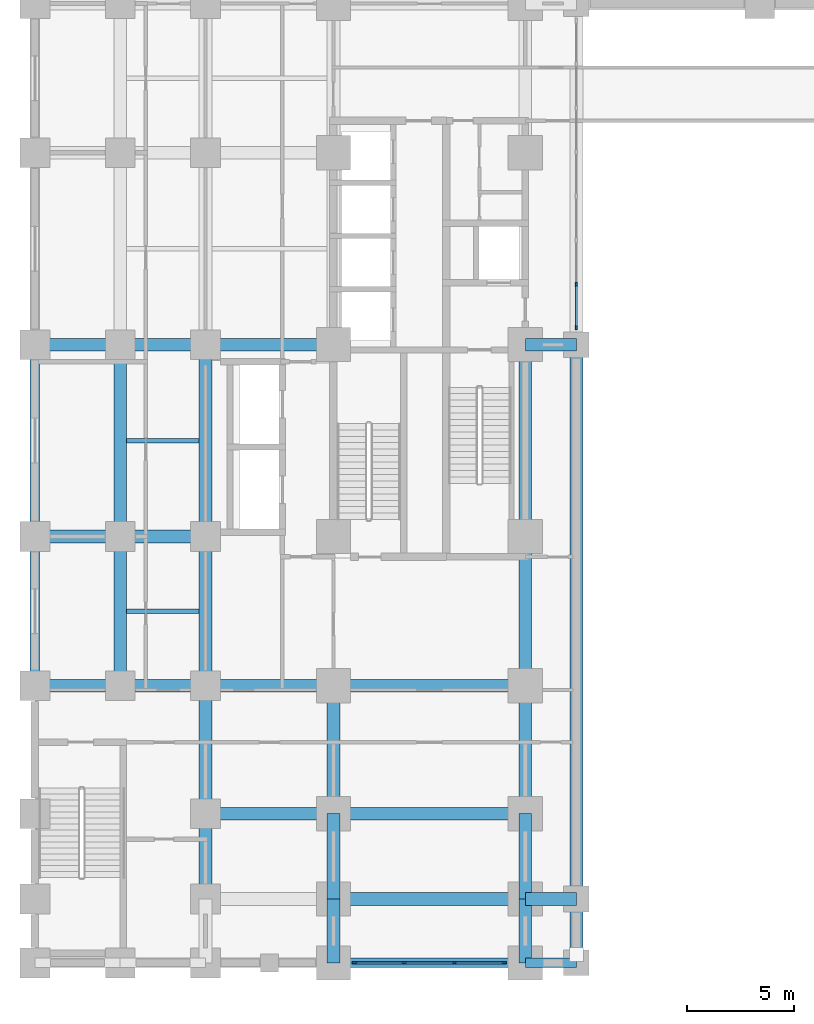
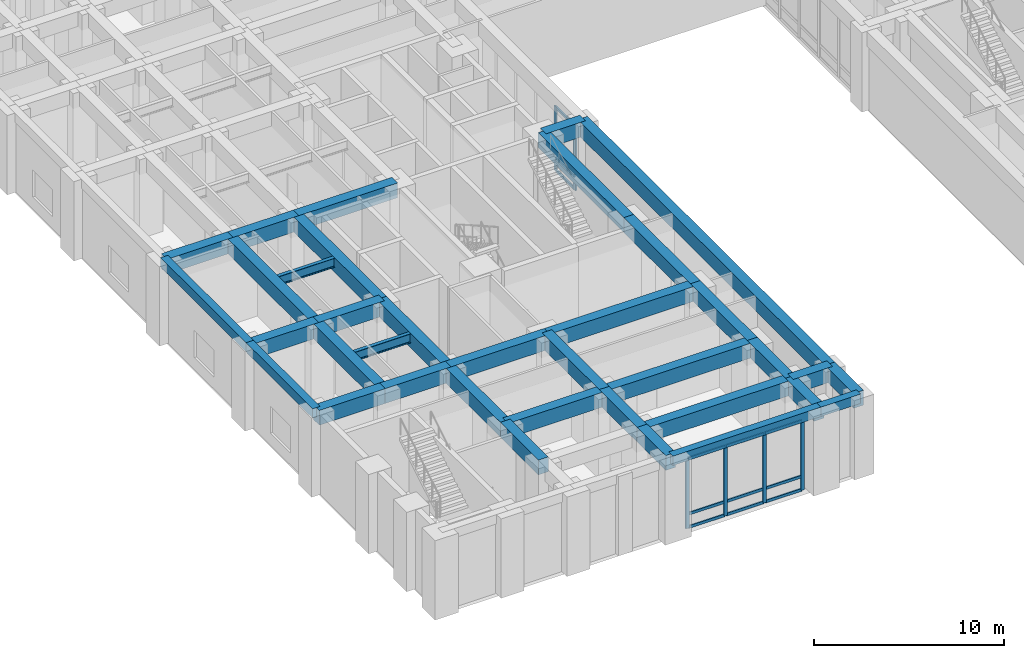
# One storey, part 2 of 21: 36 beams, 18 members, 2 elements without a shape of their own.
"""IFC4 building model written with IfcOpenShell, lengths in metres."""

from ifc_helpers import new_model, si_unit, direction, frame, origin, origin_2d, place, context, subcontext, project, spatial, rectangle, i_section, extrude, material, material_profile, profile_set, type_object, element, aggregate, save


model = new_model("IFC4")

# Units and contexts
model_context = context("Model", 3, precision=1e-05, world=origin(), true_north=direction((0.0, 1.0)))
body_context = subcontext(model_context, "Body", "Model", "MODEL_VIEW")
ifc_project = project(units=[si_unit("LENGTHUNIT", "METRE"), si_unit("AREAUNIT", "SQUARE_METRE"), si_unit("VOLUMEUNIT", "CUBIC_METRE"), si_unit("PLANEANGLEUNIT", "RADIAN"), si_unit("MASSUNIT", "GRAM", prefix="KILO")], contexts=[model_context])

# Site, building, storey
site_placement = place(None, origin())
site = spatial("IfcSite", under=ifc_project, at=site_placement, CompositionType="ELEMENT")
building_placement = place(site_placement, origin())
building = spatial("IfcBuilding", under=site, at=building_placement, Name="Zulmaris Gate Convention Tower", CompositionType="ELEMENT")
storey_placement = place(building_placement, frame((0.0, 0.0, 5.43994140625)))
storey = spatial("IfcBuildingStorey", under=building, at=storey_placement, Name="L01", CompositionType="ELEMENT", Elevation=5.43994140625)

# Beams
ifc_material_1 = material(Name="Concrete C60/75", Category="concrete")
ifc_material_profile_1 = material_profile(ifc_material_1, rectangle(XDim=0.60009765625, YDim=0.949951171875, at=origin_2d()), Name="RC BEAM 600x950")
ifc_profile_set_1 = profile_set([ifc_material_profile_1], Name="Concrete C60/75")
beam_type_1 = type_object("IfcBeamType", Name="BM-RC600x950", PredefinedType="BEAM", material=ifc_profile_set_1)
beam_1_placement = place(storey_placement, frame((-20.0, -26.0, 4.614990234375), z_axis=(1.0, 0.0, 0.0), x_axis=(0.0, 1.0, 0.0)))
element("IfcBeam", 1, at=beam_1_placement, inside=storey, type_object=beam_type_1, Name="L01 Beam BM-L01-X--26.0--20.0", PredefinedType="BEAM", context=body_context, shape_type="SweptSolid", body=[
    extrude(rectangle(XDim=0.60009765625, YDim=0.949951171875, at=origin_2d()), origin(), (0.0, 0.0, 1.0), 9.0),
])
beam_2_placement = place(storey_placement, frame((-11.0, -26.0, 4.614990234375), z_axis=(1.0, 0.0, 0.0), x_axis=(0.0, 1.0, 0.0)))
element("IfcBeam", 2, at=beam_2_placement, inside=storey, type_object=beam_type_1, Name="L01 Beam BM-L01-X--26.0--11.0", PredefinedType="BEAM", context=body_context, shape_type="SweptSolid", body=[
    extrude(rectangle(XDim=0.60009765625, YDim=0.949951171875, at=origin_2d()), origin(), (0.0, 0.0, 1.0), 2.39990234375),
])
beam_3_placement = place(storey_placement, frame((-26.0, -22.0, 4.614990234375), z_axis=(1.0, 0.0, 0.0), x_axis=(0.0, 1.0, 0.0)))
element("IfcBeam", 3, at=beam_3_placement, inside=storey, type_object=beam_type_1, Name="L01 Beam BM-L01-X--22.0--26.0", PredefinedType="BEAM", context=body_context, shape_type="SweptSolid", body=[
    extrude(rectangle(XDim=0.60009765625, YDim=0.949951171875, at=origin_2d()), origin(), (0.0, 0.0, 1.0), 6.0),
])
beam_4_placement = place(storey_placement, frame((-20.0, -22.0, 4.614990234375), z_axis=(1.0, 0.0, 0.0), x_axis=(0.0, 1.0, 0.0)))
element("IfcBeam", 4, at=beam_4_placement, inside=storey, type_object=beam_type_1, Name="L01 Beam BM-L01-X--22.0--20.0", PredefinedType="BEAM", context=body_context, shape_type="SweptSolid", body=[
    extrude(rectangle(XDim=0.60009765625, YDim=0.949951171875, at=origin_2d()), origin(), (0.0, 0.0, 1.0), 9.0),
])
for number, where, z_axis, x_axis, name in (
    (5, (-34.0, -16.0, 4.614990234375), (1.0, 0.0, 0.0), (0.0, 1.0, 0.0), "L01 Beam BM-L01-X--16.0--34.0"),
    (6, (-30.0, -16.0, 4.614990234375), (1.0, 0.0, 0.0), (0.0, 1.0, 0.0), "L01 Beam BM-L01-X--16.0--30.0"),
):
    element("IfcBeam", number, at=place(storey_placement, frame(where, z_axis=z_axis, x_axis=x_axis)), inside=storey, type_object=beam_type_1, Name=name, PredefinedType="BEAM", context=body_context, shape_type="SweptSolid", body=[
        extrude(rectangle(XDim=0.60009765625, YDim=0.949951171875, at=origin_2d()), origin(), (0.0, 0.0, 1.0), 4.0),
    ])
beam_5_placement = place(storey_placement, frame((-26.0, -16.0, 4.614990234375), z_axis=(1.0, 0.0, 0.0), x_axis=(0.0, 1.0, 0.0)))
element("IfcBeam", 7, at=beam_5_placement, inside=storey, type_object=beam_type_1, Name="L01 Beam BM-L01-X--16.0--26.0", PredefinedType="BEAM", context=body_context, shape_type="SweptSolid", body=[
    extrude(rectangle(XDim=0.60009765625, YDim=0.949951171875, at=origin_2d()), origin(), (0.0, 0.0, 1.0), 6.0),
])
beam_6_placement = place(storey_placement, frame((-20.0, -16.0, 4.614990234375), z_axis=(1.0, 0.0, 0.0), x_axis=(0.0, 1.0, 0.0)))
element("IfcBeam", 8, at=beam_6_placement, inside=storey, type_object=beam_type_1, Name="L01 Beam BM-L01-X--16.0--20.0", PredefinedType="BEAM", context=body_context, shape_type="SweptSolid", body=[
    extrude(rectangle(XDim=0.60009765625, YDim=0.949951171875, at=origin_2d()), origin(), (0.0, 0.0, 1.0), 9.0),
])
for number, where, z_axis, x_axis, name in (
    (9, (-34.0, -9.0, 4.614990234375), (1.0, 0.0, 0.0), (0.0, 1.0, 0.0), "L01 Beam BM-L01-X--9.0--34.0"),
    (10, (-30.0, -9.0, 4.614990234375), (1.0, 0.0, 0.0), (0.0, 1.0, 0.0), "L01 Beam BM-L01-X--9.0--30.0"),
    (11, (-34.0, 0.0, 4.614990234375), (1.0, 0.0, 0.0), (0.0, 1.0, 0.0), "L01 Beam BM-L01-X-+0.0--34.0"),
    (12, (-30.0, 0.0, 4.614990234375), (1.0, 0.0, 0.0), (0.0, 1.0, 0.0), "L01 Beam BM-L01-X-+0.0--30.0"),
):
    element("IfcBeam", number, at=place(storey_placement, frame(where, z_axis=z_axis, x_axis=x_axis)), inside=storey, type_object=beam_type_1, Name=name, PredefinedType="BEAM", context=body_context, shape_type="SweptSolid", body=[
        extrude(rectangle(XDim=0.60009765625, YDim=0.949951171875, at=origin_2d()), origin(), (0.0, 0.0, 1.0), 4.0),
    ])
beam_7_placement = place(storey_placement, frame((-26.0, 0.0, 4.614990234375), z_axis=(1.0, 0.0, 0.0), x_axis=(0.0, 1.0, 0.0)))
element("IfcBeam", 13, at=beam_7_placement, inside=storey, type_object=beam_type_1, Name="L01 Beam BM-L01-X-+0.0--26.0", PredefinedType="BEAM", context=body_context, shape_type="SweptSolid", body=[
    extrude(rectangle(XDim=0.60009765625, YDim=0.949951171875, at=origin_2d()), origin(), (0.0, 0.0, 1.0), 6.0),
])
beam_8_placement = place(storey_placement, frame((-11.0, 0.0, 4.614990234375), z_axis=(1.0, 0.0, 0.0), x_axis=(0.0, 1.0, 0.0)))
element("IfcBeam", 14, at=beam_8_placement, inside=storey, type_object=beam_type_1, Name="L01 Beam BM-L01-X-+0.0--11.0", PredefinedType="BEAM", context=body_context, shape_type="SweptSolid", body=[
    extrude(rectangle(XDim=0.60009765625, YDim=0.949951171875, at=origin_2d()), origin(), (0.0, 0.0, 1.0), 2.39990234375),
])
beam_9_placement = place(storey_placement, frame((-30.0, -16.0, 4.614990234375), z_axis=(0.0, 1.0, 0.0), x_axis=(-1.0, 0.0, 0.0)))
element("IfcBeam", 15, at=beam_9_placement, inside=storey, type_object=beam_type_1, Name="L01 Beam BM-L01-Y--30.0--16.0", PredefinedType="BEAM", context=body_context, shape_type="SweptSolid", body=[
    extrude(rectangle(XDim=0.60009765625, YDim=0.949951171875, at=origin_2d()), origin(), (0.0, 0.0, 1.0), 7.0),
])
beam_10_placement = place(storey_placement, frame((-30.0, -9.0, 4.614990234375), z_axis=(0.0, 1.0, 0.0), x_axis=(-1.0, 0.0, 0.0)))
element("IfcBeam", 16, at=beam_10_placement, inside=storey, type_object=beam_type_1, Name="L01 Beam BM-L01-Y--30.0--9.0", PredefinedType="BEAM", context=body_context, shape_type="SweptSolid", body=[
    extrude(rectangle(XDim=0.60009765625, YDim=0.949951171875, at=origin_2d()), origin(), (0.0, 0.0, 1.0), 9.0),
])
beam_11_placement = place(storey_placement, frame((-26.0, -26.0, 4.614990234375), z_axis=(0.0, 1.0, 0.0), x_axis=(-1.0, 0.0, 0.0)))
element("IfcBeam", 17, at=beam_11_placement, inside=storey, type_object=beam_type_1, Name="L01 Beam BM-L01-Y--26.0--26.0", PredefinedType="BEAM", context=body_context, shape_type="SweptSolid", body=[
    extrude(rectangle(XDim=0.60009765625, YDim=0.949951171875, at=origin_2d()), origin(), (0.0, 0.0, 1.0), 4.0),
])
beam_12_placement = place(storey_placement, frame((-26.0, -22.0, 4.614990234375), z_axis=(0.0, 1.0, 0.0), x_axis=(-1.0, 0.0, 0.0)))
element("IfcBeam", 18, at=beam_12_placement, inside=storey, type_object=beam_type_1, Name="L01 Beam BM-L01-Y--26.0--22.0", PredefinedType="BEAM", context=body_context, shape_type="SweptSolid", body=[
    extrude(rectangle(XDim=0.60009765625, YDim=0.949951171875, at=origin_2d()), origin(), (0.0, 0.0, 1.0), 6.0),
])
beam_13_placement = place(storey_placement, frame((-26.0, -16.0, 4.614990234375), z_axis=(0.0, 1.0, 0.0), x_axis=(-1.0, 0.0, 0.0)))
element("IfcBeam", 19, at=beam_13_placement, inside=storey, type_object=beam_type_1, Name="L01 Beam BM-L01-Y--26.0--16.0", PredefinedType="BEAM", context=body_context, shape_type="SweptSolid", body=[
    extrude(rectangle(XDim=0.60009765625, YDim=0.949951171875, at=origin_2d()), origin(), (0.0, 0.0, 1.0), 7.0),
])
beam_14_placement = place(storey_placement, frame((-26.0, -9.0, 4.614990234375), z_axis=(0.0, 1.0, 0.0), x_axis=(-1.0, 0.0, 0.0)))
element("IfcBeam", 20, at=beam_14_placement, inside=storey, type_object=beam_type_1, Name="L01 Beam BM-L01-Y--26.0--9.0", PredefinedType="BEAM", context=body_context, shape_type="SweptSolid", body=[
    extrude(rectangle(XDim=0.60009765625, YDim=0.949951171875, at=origin_2d()), origin(), (0.0, 0.0, 1.0), 9.0),
])
beam_15_placement = place(storey_placement, frame((-20.0, -29.0, 4.614990234375), z_axis=(0.0, 1.0, 0.0), x_axis=(-1.0, 0.0, 0.0)))
element("IfcBeam", 21, at=beam_15_placement, inside=storey, type_object=beam_type_1, Name="L01 Beam BM-L01-Y--20.0--29.0", PredefinedType="BEAM", context=body_context, shape_type="SweptSolid", body=[
    extrude(rectangle(XDim=0.60009765625, YDim=0.949951171875, at=origin_2d()), origin(), (0.0, 0.0, 1.0), 3.0),
])
beam_16_placement = place(storey_placement, frame((-20.0, -26.0, 4.614990234375), z_axis=(0.0, 1.0, 0.0), x_axis=(-1.0, 0.0, 0.0)))
element("IfcBeam", 22, at=beam_16_placement, inside=storey, type_object=beam_type_1, Name="L01 Beam BM-L01-Y--20.0--26.0", PredefinedType="BEAM", context=body_context, shape_type="SweptSolid", body=[
    extrude(rectangle(XDim=0.60009765625, YDim=0.949951171875, at=origin_2d()), origin(), (0.0, 0.0, 1.0), 4.0),
])
beam_17_placement = place(storey_placement, frame((-20.0, -22.0, 4.614990234375), z_axis=(0.0, 1.0, 0.0), x_axis=(-1.0, 0.0, 0.0)))
element("IfcBeam", 23, at=beam_17_placement, inside=storey, type_object=beam_type_1, Name="L01 Beam BM-L01-Y--20.0--22.0", PredefinedType="BEAM", context=body_context, shape_type="SweptSolid", body=[
    extrude(rectangle(XDim=0.60009765625, YDim=0.949951171875, at=origin_2d()), origin(), (0.0, 0.0, 1.0), 6.0),
])
beam_18_placement = place(storey_placement, frame((-11.0, -29.0, 4.614990234375), z_axis=(0.0, 1.0, 0.0), x_axis=(-1.0, 0.0, 0.0)))
element("IfcBeam", 24, at=beam_18_placement, inside=storey, type_object=beam_type_1, Name="L01 Beam BM-L01-Y--11.0--29.0", PredefinedType="BEAM", context=body_context, shape_type="SweptSolid", body=[
    extrude(rectangle(XDim=0.60009765625, YDim=0.949951171875, at=origin_2d()), origin(), (0.0, 0.0, 1.0), 3.0),
])
beam_19_placement = place(storey_placement, frame((-11.0, -26.0, 4.614990234375), z_axis=(0.0, 1.0, 0.0), x_axis=(-1.0, 0.0, 0.0)))
element("IfcBeam", 25, at=beam_19_placement, inside=storey, type_object=beam_type_1, Name="L01 Beam BM-L01-Y--11.0--26.0", PredefinedType="BEAM", context=body_context, shape_type="SweptSolid", body=[
    extrude(rectangle(XDim=0.60009765625, YDim=0.949951171875, at=origin_2d()), origin(), (0.0, 0.0, 1.0), 4.0),
])
beam_20_placement = place(storey_placement, frame((-11.0, -22.0, 4.614990234375), z_axis=(0.0, 1.0, 0.0), x_axis=(-1.0, 0.0, 0.0)))
element("IfcBeam", 26, at=beam_20_placement, inside=storey, type_object=beam_type_1, Name="L01 Beam BM-L01-Y--11.0--22.0", PredefinedType="BEAM", context=body_context, shape_type="SweptSolid", body=[
    extrude(rectangle(XDim=0.60009765625, YDim=0.949951171875, at=origin_2d()), origin(), (0.0, 0.0, 1.0), 6.0),
])
beam_21_placement = place(storey_placement, frame((-11.0, -16.0, 4.614990234375), z_axis=(0.0, 1.0, 0.0), x_axis=(-1.0, 0.0, 0.0)))
element("IfcBeam", 27, at=beam_21_placement, inside=storey, type_object=beam_type_1, Name="L01 Beam BM-L01-Y--11.0--16.0", PredefinedType="BEAM", context=body_context, shape_type="SweptSolid", body=[
    extrude(rectangle(XDim=0.60009765625, YDim=0.949951171875, at=origin_2d()), origin(), (0.0, 0.0, 1.0), 7.0),
])
beam_22_placement = place(storey_placement, frame((-11.0, -9.0, 4.614990234375), z_axis=(0.0, 1.0, 0.0), x_axis=(-1.0, 0.0, 0.0)))
element("IfcBeam", 28, at=beam_22_placement, inside=storey, type_object=beam_type_1, Name="L01 Beam BM-L01-Y--11.0--9.0", PredefinedType="BEAM", context=body_context, shape_type="SweptSolid", body=[
    extrude(rectangle(XDim=0.60009765625, YDim=0.949951171875, at=origin_2d()), origin(), (0.0, 0.0, 1.0), 9.0),
])
beam_23_placement = place(storey_placement, frame((-8.60009765625, -29.0, 4.614990234375), z_axis=(0.0, 1.0, 0.0), x_axis=(-1.0, 0.0, 0.0)))
element("IfcBeam", 29, at=beam_23_placement, inside=storey, type_object=beam_type_1, Name="L01 Beam BM-L01-Y--8.6--29.0", PredefinedType="BEAM", context=body_context, shape_type="SweptSolid", body=[
    extrude(rectangle(XDim=0.60009765625, YDim=0.949951171875, at=origin_2d()), origin(), (0.0, 0.0, 1.0), 3.0),
])
beam_24_placement = place(storey_placement, frame((-8.60009765625, -26.0, 4.614990234375), z_axis=(0.0, 1.0, 0.0), x_axis=(-1.0, 0.0, 0.0)))
element("IfcBeam", 30, at=beam_24_placement, inside=storey, type_object=beam_type_1, Name="L01 Beam BM-L01-Y--8.6--26.0", PredefinedType="BEAM", context=body_context, shape_type="SweptSolid", body=[
    extrude(rectangle(XDim=0.60009765625, YDim=0.949951171875, at=origin_2d()), origin(), (0.0, 0.0, 1.0), 26.0),
])
ifc_material_2 = material(Name="Precast concrete C50/60", Category="concrete")
ifc_material_profile_2 = material_profile(ifc_material_2, rectangle(XDim=0.449951171875, YDim=0.60009765625, at=origin_2d()), Name="RC SPANDREL 450x600")
ifc_profile_set_2 = profile_set([ifc_material_profile_2], Name="Precast concrete C50/60")
beam_type_2 = type_object("IfcBeamType", Name="BM-SP450x600", PredefinedType="SPANDREL", material=ifc_profile_set_2)
beam_25_placement = place(storey_placement, frame((-20.0, -29.0, 4.7900390625), z_axis=(1.0, 0.0, 0.0), x_axis=(0.0, 1.0, 0.0)))
element("IfcBeam", 31, at=beam_25_placement, inside=storey, type_object=beam_type_2, Name="L01 Spandrel BM-L01-X--29.0--20.0", PredefinedType="SPANDREL", context=body_context, shape_type="SweptSolid", body=[
    extrude(rectangle(XDim=0.449951171875, YDim=0.60009765625, at=origin_2d()), origin(), (0.0, 0.0, 1.0), 9.0),
])
beam_26_placement = place(storey_placement, frame((-11.0, -29.0, 4.7900390625), z_axis=(1.0, 0.0, 0.0), x_axis=(0.0, 1.0, 0.0)))
element("IfcBeam", 32, at=beam_26_placement, inside=storey, type_object=beam_type_2, Name="L01 Spandrel BM-L01-X--29.0--11.0", PredefinedType="SPANDREL", context=body_context, shape_type="SweptSolid", body=[
    extrude(rectangle(XDim=0.449951171875, YDim=0.60009765625, at=origin_2d()), origin(), (0.0, 0.0, 1.0), 2.39990234375),
])
beam_27_placement = place(storey_placement, frame((-34.0, -16.0, 4.7900390625), z_axis=(0.0, 1.0, 0.0), x_axis=(-1.0, 0.0, 0.0)))
element("IfcBeam", 33, at=beam_27_placement, inside=storey, type_object=beam_type_2, Name="L01 Spandrel BM-L01-Y--34.0--16.0", PredefinedType="SPANDREL", context=body_context, shape_type="SweptSolid", body=[
    extrude(rectangle(XDim=0.449951171875, YDim=0.60009765625, at=origin_2d()), origin(), (0.0, 0.0, 1.0), 7.0),
])
beam_28_placement = place(storey_placement, frame((-34.0, -9.0, 4.7900390625), z_axis=(0.0, 1.0, 0.0), x_axis=(-1.0, 0.0, 0.0)))
element("IfcBeam", 34, at=beam_28_placement, inside=storey, type_object=beam_type_2, Name="L01 Spandrel BM-L01-Y--34.0--9.0", PredefinedType="SPANDREL", context=body_context, shape_type="SweptSolid", body=[
    extrude(rectangle(XDim=0.449951171875, YDim=0.60009765625, at=origin_2d()), origin(), (0.0, 0.0, 1.0), 9.0),
])

# Curtain wall, members
ifc_material_3 = material(Name="Anodised Aluminium", Category="aluminium")
curtain_wall_type_1 = type_object("IfcCurtainWallType", Name="CW-01", PredefinedType="NOTDEFINED", material=ifc_material_3)
curtain_wall_1_placement = place(storey_placement, origin())
curtain_wall_1 = element("IfcCurtainWall", 35, at=curtain_wall_1_placement, inside=storey, type_object=curtain_wall_type_1, Name="CW-01 CW01-L01-S-20_0", PredefinedType="NOTDEFINED")
ifc_material_profile_3 = material_profile(ifc_material_3, rectangle(XDim=0.090087890625, YDim=0.219970703125, at=origin_2d()), Name="ALU MULLION 90x220")
ifc_profile_set_3 = profile_set([ifc_material_profile_3], Name="Anodised Aluminium")
member_type_1 = type_object("IfcMemberType", Name="CW-01-MULL", PredefinedType="MULLION", material=ifc_profile_set_3)
member_1_placement = place(storey_placement, frame((-18.9951171875, -29.0, 0.0), z_axis=(0.0, 0.0, 1.0), x_axis=(0.0, 1.0, 0.0)))
member_1 = element("IfcMember", 36, at=member_1_placement, type_object=member_type_1, Name="CW-01 mullion 1", PredefinedType="MULLION", context=body_context, shape_type="SweptSolid", body=[
    extrude(rectangle(XDim=0.090087890625, YDim=0.219970703125, at=origin_2d()), origin(), (0.0, 0.0, 1.0), 4.48193359375),
])
member_2_placement = place(storey_placement, frame((-16.679931640625, -29.0, 0.0), z_axis=(0.0, 0.0, 1.0), x_axis=(0.0, 1.0, 0.0)))
member_2 = element("IfcMember", 37, at=member_2_placement, type_object=member_type_1, Name="CW-01 mullion 2", PredefinedType="MULLION", context=body_context, shape_type="SweptSolid", body=[
    extrude(rectangle(XDim=0.090087890625, YDim=0.219970703125, at=origin_2d()), origin(), (0.0, 0.0, 1.0), 4.48193359375),
])
member_3_placement = place(storey_placement, frame((-14.320068359375, -29.0, 0.0), z_axis=(0.0, 0.0, 1.0), x_axis=(0.0, 1.0, 0.0)))
member_3 = element("IfcMember", 38, at=member_3_placement, type_object=member_type_1, Name="CW-01 mullion 3", PredefinedType="MULLION", context=body_context, shape_type="SweptSolid", body=[
    extrude(rectangle(XDim=0.090087890625, YDim=0.219970703125, at=origin_2d()), origin(), (0.0, 0.0, 1.0), 4.48193359375),
])
member_4_placement = place(storey_placement, frame((-12.0048828125, -29.0, 0.0), z_axis=(0.0, 0.0, 1.0), x_axis=(0.0, 1.0, 0.0)))
member_4 = element("IfcMember", 39, at=member_4_placement, type_object=member_type_1, Name="CW-01 mullion 4", PredefinedType="MULLION", context=body_context, shape_type="SweptSolid", body=[
    extrude(rectangle(XDim=0.090087890625, YDim=0.219970703125, at=origin_2d()), origin(), (0.0, 0.0, 1.0), 4.48193359375),
])
ifc_material_profile_4 = material_profile(ifc_material_3, rectangle(XDim=0.090087890625, YDim=0.179931640625, at=origin_2d()), Name="ALU TRANSOM 90x180")
ifc_profile_set_4 = profile_set([ifc_material_profile_4], Name="Anodised Aluminium")
member_type_2 = type_object("IfcMemberType", Name="CW-01-TRAN", PredefinedType="USERDEFINED", material=ifc_profile_set_4)
member_5_placement = place(storey_placement, frame((-18.949951171875, -29.0, 0.044921875), z_axis=(1.0, 0.0, 0.0), x_axis=(0.0, 1.0, 0.0)))
member_5 = element("IfcMember", 40, at=member_5_placement, type_object=member_type_2, Name="CW-01 transom 1.1", ObjectType="TRANSOM", PredefinedType="USERDEFINED", context=body_context, shape_type="SweptSolid", body=[
    extrude(rectangle(XDim=0.090087890625, YDim=0.179931640625, at=origin_2d()), origin(), (0.0, 0.0, 1.0), 2.224853515625),
])
member_6_placement = place(storey_placement, frame((-18.949951171875, -29.0, 0.89990234375), z_axis=(1.0, 0.0, 0.0), x_axis=(0.0, 1.0, 0.0)))
member_6 = element("IfcMember", 41, at=member_6_placement, type_object=member_type_2, Name="CW-01 transom 1.2", ObjectType="TRANSOM", PredefinedType="USERDEFINED", context=body_context, shape_type="SweptSolid", body=[
    extrude(rectangle(XDim=0.090087890625, YDim=0.179931640625, at=origin_2d()), origin(), (0.0, 0.0, 1.0), 2.224853515625),
])
member_7_placement = place(storey_placement, frame((-18.949951171875, -29.0, 4.43701171875), z_axis=(1.0, 0.0, 0.0), x_axis=(0.0, 1.0, 0.0)))
member_7 = element("IfcMember", 42, at=member_7_placement, type_object=member_type_2, Name="CW-01 transom 1.3", ObjectType="TRANSOM", PredefinedType="USERDEFINED", context=body_context, shape_type="SweptSolid", body=[
    extrude(rectangle(XDim=0.090087890625, YDim=0.179931640625, at=origin_2d()), origin(), (0.0, 0.0, 1.0), 2.224853515625),
])
member_8_placement = place(storey_placement, frame((-16.635009765625, -29.0, 0.044921875), z_axis=(1.0, 0.0, 0.0), x_axis=(0.0, 1.0, 0.0)))
member_8 = element("IfcMember", 43, at=member_8_placement, type_object=member_type_2, Name="CW-01 transom 2.1", ObjectType="TRANSOM", PredefinedType="USERDEFINED", context=body_context, shape_type="SweptSolid", body=[
    extrude(rectangle(XDim=0.090087890625, YDim=0.179931640625, at=origin_2d()), origin(), (0.0, 0.0, 1.0), 2.27001953125),
])
member_9_placement = place(storey_placement, frame((-16.635009765625, -29.0, 0.89990234375), z_axis=(1.0, 0.0, 0.0), x_axis=(0.0, 1.0, 0.0)))
member_9 = element("IfcMember", 44, at=member_9_placement, type_object=member_type_2, Name="CW-01 transom 2.2", ObjectType="TRANSOM", PredefinedType="USERDEFINED", context=body_context, shape_type="SweptSolid", body=[
    extrude(rectangle(XDim=0.090087890625, YDim=0.179931640625, at=origin_2d()), origin(), (0.0, 0.0, 1.0), 2.27001953125),
])
member_10_placement = place(storey_placement, frame((-16.635009765625, -29.0, 4.43701171875), z_axis=(1.0, 0.0, 0.0), x_axis=(0.0, 1.0, 0.0)))
member_10 = element("IfcMember", 45, at=member_10_placement, type_object=member_type_2, Name="CW-01 transom 2.3", ObjectType="TRANSOM", PredefinedType="USERDEFINED", context=body_context, shape_type="SweptSolid", body=[
    extrude(rectangle(XDim=0.090087890625, YDim=0.179931640625, at=origin_2d()), origin(), (0.0, 0.0, 1.0), 2.27001953125),
])
member_11_placement = place(storey_placement, frame((-14.27490234375, -29.0, 0.044921875), z_axis=(1.0, 0.0, 0.0), x_axis=(0.0, 1.0, 0.0)))
member_11 = element("IfcMember", 46, at=member_11_placement, type_object=member_type_2, Name="CW-01 transom 3.1", ObjectType="TRANSOM", PredefinedType="USERDEFINED", context=body_context, shape_type="SweptSolid", body=[
    extrude(rectangle(XDim=0.090087890625, YDim=0.179931640625, at=origin_2d()), origin(), (0.0, 0.0, 1.0), 2.224853515625),
])
member_12_placement = place(storey_placement, frame((-14.27490234375, -29.0, 0.89990234375), z_axis=(1.0, 0.0, 0.0), x_axis=(0.0, 1.0, 0.0)))
member_12 = element("IfcMember", 47, at=member_12_placement, type_object=member_type_2, Name="CW-01 transom 3.2", ObjectType="TRANSOM", PredefinedType="USERDEFINED", context=body_context, shape_type="SweptSolid", body=[
    extrude(rectangle(XDim=0.090087890625, YDim=0.179931640625, at=origin_2d()), origin(), (0.0, 0.0, 1.0), 2.224853515625),
])
member_13_placement = place(storey_placement, frame((-14.27490234375, -29.0, 4.43701171875), z_axis=(1.0, 0.0, 0.0), x_axis=(0.0, 1.0, 0.0)))
member_13 = element("IfcMember", 48, at=member_13_placement, type_object=member_type_2, Name="CW-01 transom 3.3", ObjectType="TRANSOM", PredefinedType="USERDEFINED", context=body_context, shape_type="SweptSolid", body=[
    extrude(rectangle(XDim=0.090087890625, YDim=0.179931640625, at=origin_2d()), origin(), (0.0, 0.0, 1.0), 2.224853515625),
])
aggregate(curtain_wall_1, [member_1, member_2, member_3, member_4, member_5, member_6, member_7, member_8, member_9, member_10, member_11, member_12, member_13])

curtain_wall_type_2 = type_object("IfcCurtainWallType", Name="CW-02", PredefinedType="NOTDEFINED", material=ifc_material_3)
curtain_wall_2_placement = place(storey_placement, origin())
curtain_wall_2 = element("IfcCurtainWall", 49, at=curtain_wall_2_placement, inside=storey, type_object=curtain_wall_type_2, Name="CW-02 CW02-L01-WL_0", PredefinedType="NOTDEFINED")
ifc_material_profile_5 = material_profile(ifc_material_3, rectangle(XDim=0.090087890625, YDim=0.219970703125, at=origin_2d()), Name="ALU MULLION 90x220")
ifc_profile_set_5 = profile_set([ifc_material_profile_5], Name="Anodised Aluminium")
member_type_3 = type_object("IfcMemberType", Name="CW-02-MULL", PredefinedType="MULLION", material=ifc_profile_set_5)
member_14_placement = place(storey_placement, frame((-8.60009765625, 0.804931640625, 0.0), z_axis=(0.0, 0.0, 1.0), x_axis=(-1.0, 0.0, 0.0)))
member_14 = element("IfcMember", 50, at=member_14_placement, type_object=member_type_3, Name="CW-02 mullion 1", PredefinedType="MULLION", context=body_context, shape_type="SweptSolid", body=[
    extrude(rectangle(XDim=0.090087890625, YDim=0.219970703125, at=origin_2d()), origin(), (0.0, 0.0, 1.0), 4.132080078125),
])
member_15_placement = place(storey_placement, frame((-8.60009765625, 2.82861328125, 0.0), z_axis=(0.0, 0.0, 1.0), x_axis=(-1.0, 0.0, 0.0)))
member_15 = element("IfcMember", 51, at=member_15_placement, type_object=member_type_3, Name="CW-02 mullion 2", PredefinedType="MULLION", context=body_context, shape_type="SweptSolid", body=[
    extrude(rectangle(XDim=0.090087890625, YDim=0.219970703125, at=origin_2d()), origin(), (0.0, 0.0, 1.0), 4.132080078125),
])
ifc_material_profile_6 = material_profile(ifc_material_3, rectangle(XDim=0.090087890625, YDim=0.179931640625, at=origin_2d()), Name="ALU TRANSOM 90x180")
ifc_profile_set_6 = profile_set([ifc_material_profile_6], Name="Anodised Aluminium")
member_type_4 = type_object("IfcMemberType", Name="CW-02-TRAN", PredefinedType="USERDEFINED", material=ifc_profile_set_6)
member_16_placement = place(storey_placement, frame((-8.60009765625, 0.85009765625, 0.044921875), z_axis=(0.0, 1.0, 0.0), x_axis=(-1.0, 0.0, 0.0)))
member_16 = element("IfcMember", 52, at=member_16_placement, type_object=member_type_4, Name="CW-02 transom 1.1", ObjectType="TRANSOM", PredefinedType="USERDEFINED", context=body_context, shape_type="SweptSolid", body=[
    extrude(rectangle(XDim=0.090087890625, YDim=0.179931640625, at=origin_2d()), origin(), (0.0, 0.0, 1.0), 1.93359375),
])
member_17_placement = place(storey_placement, frame((-8.60009765625, 0.85009765625, 0.849853515625), z_axis=(0.0, 1.0, 0.0), x_axis=(-1.0, 0.0, 0.0)))
member_17 = element("IfcMember", 53, at=member_17_placement, type_object=member_type_4, Name="CW-02 transom 1.2", ObjectType="TRANSOM", PredefinedType="USERDEFINED", context=body_context, shape_type="SweptSolid", body=[
    extrude(rectangle(XDim=0.090087890625, YDim=0.179931640625, at=origin_2d()), origin(), (0.0, 0.0, 1.0), 1.93359375),
])
member_18_placement = place(storey_placement, frame((-8.60009765625, 0.85009765625, 4.0869140625), z_axis=(0.0, 1.0, 0.0), x_axis=(-1.0, 0.0, 0.0)))
member_18 = element("IfcMember", 54, at=member_18_placement, type_object=member_type_4, Name="CW-02 transom 1.3", ObjectType="TRANSOM", PredefinedType="USERDEFINED", context=body_context, shape_type="SweptSolid", body=[
    extrude(rectangle(XDim=0.090087890625, YDim=0.179931640625, at=origin_2d()), origin(), (0.0, 0.0, 1.0), 1.93359375),
])
aggregate(curtain_wall_2, [member_14, member_15, member_16, member_17, member_18])

# Beams
ifc_material_4 = material(Name="Steel S355", Category="steel")
ifc_material_profile_7 = material_profile(ifc_material_4, i_section(OverallWidth=0.219970703125, OverallDepth=0.60009765625, WebThickness=0.011962890625, FlangeThickness=0.01904296875, FilletRadius=0.02392578125, at=origin_2d()), Name="IPE 600")
ifc_profile_set_7 = profile_set([ifc_material_profile_7], Name="Steel S355")
beam_type_3 = type_object("IfcBeamType", Name="JT-IPE600", PredefinedType="JOIST", material=ifc_profile_set_7)
for number, where, z_axis, x_axis, name in (
    (55, (-29.699951171875, -12.5, 4.787841796875), (1.0, 0.0, 0.0), (0.0, 1.0, 0.0), "L01 Joist JT-L01--30_-26--12.5"),
    (56, (-29.699951171875, -4.5, 4.787841796875), (1.0, 0.0, 0.0), (0.0, 1.0, 0.0), "L01 Joist JT-L01--30_-26--4.5"),
):
    element("IfcBeam", number, at=place(storey_placement, frame(where, z_axis=z_axis, x_axis=x_axis)), inside=storey, type_object=beam_type_3, Name=name, PredefinedType="JOIST", context=body_context, shape_type="SweptSolid", body=[
        extrude(i_section(OverallWidth=0.219970703125, OverallDepth=0.60009765625, WebThickness=0.011962890625, FlangeThickness=0.01904296875, FilletRadius=0.02392578125, at=origin_2d()), origin(), (0.0, 0.0, 1.0), 3.39990234375),
    ])

save(model, "model.ifc")
